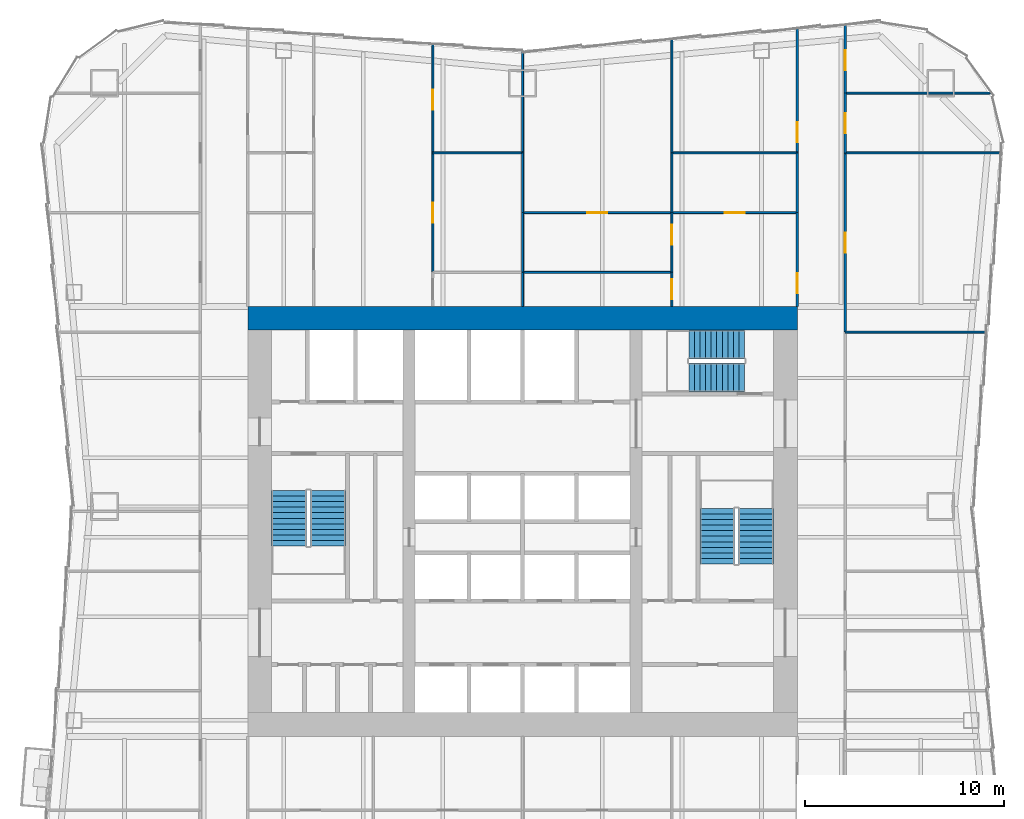
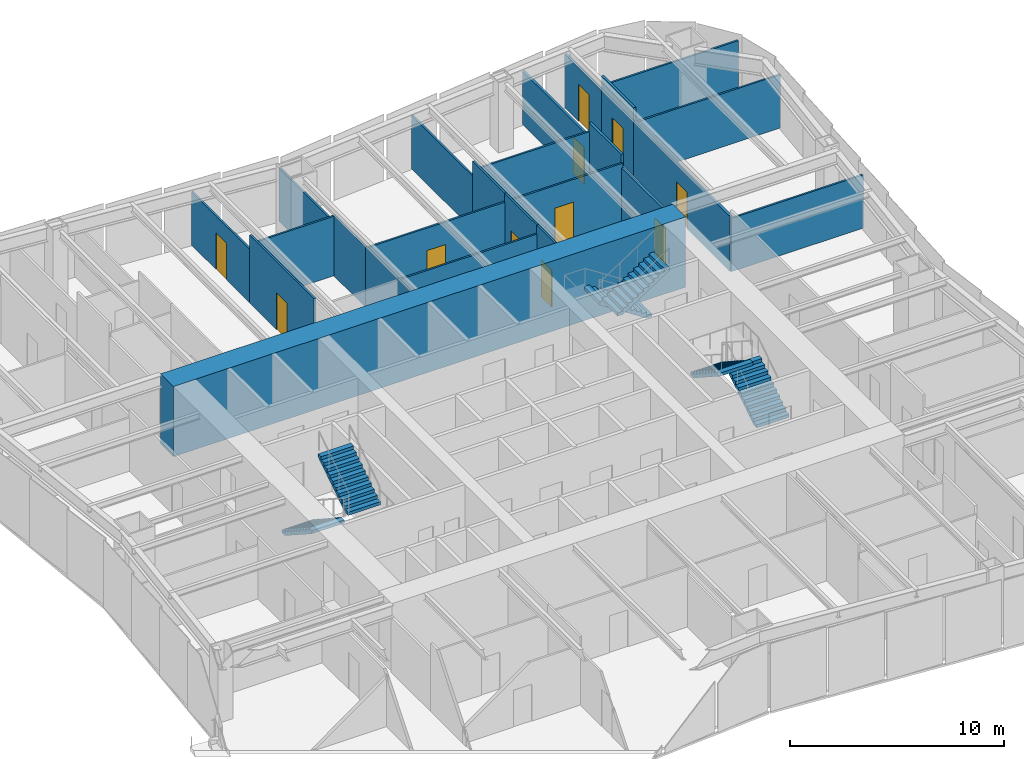
# One storey, part 7 of 9: 25 walls, 11 doors, 6 stair flights, 11 openings, 3 elements without a shape of their own.
"""IFC4 building model written with IfcOpenShell, lengths in metres."""

import ifcopenshell
import ifcopenshell.guid

model = None  # the IFC model being written
_history = None  # IfcOwnerHistory: only IFC2X3 demands one
_inside = {}  # id of a spatial element -> (the spatial element, [elements in it])
_under = {}  # id of a project, library or spatial element -> (it, [spatial elements below it])
_declared = {}  # id of a project -> (the project, [libraries it declares])
_typed = {}  # id of a type object -> (the type object, [elements of that type])
_made_of = {}  # id of a material, layer set ... -> (it, [elements and type objects made of it])


def new_model(schema):
    """Start an empty IFC model of exactly this schema.

    Asked for "IFC4X3", IfcOpenShell would pick the latest addendum, in which some entities
    have other attributes; the version numbers below select the first issue.
    IFC2X3 requires an IfcOwnerHistory on every rooted entity: one is made here for all.
    """
    global model, _history
    if schema == "IFC4X3":
        model = ifcopenshell.file(schema_version=(4, 3, 0, 0))
    else:
        model = ifcopenshell.file(schema=schema)
    _inside.clear()
    _under.clear()
    _declared.clear()
    _typed.clear()
    _made_of.clear()
    _history = None
    if model.schema == "IFC2X3":
        org = make("IfcOrganization", Name="unknown")
        user = make(
            "IfcPersonAndOrganization",
            ThePerson=make("IfcPerson", FamilyName="unknown"),
            TheOrganization=org,
        )
        app = make(
            "IfcApplication",
            ApplicationDeveloper=org,
            Version="unknown",
            ApplicationFullName="unknown",
            ApplicationIdentifier="unknown",
        )
        _history = make(
            "IfcOwnerHistory",
            OwningUser=user,
            OwningApplication=app,
            ChangeAction="ADDED",
            CreationDate=0,
        )
    return model


def make(cls, **values):
    """One entity of the class cls with the attributes given. An attribute that is None is left unset."""
    return model.create_entity(
        cls, **{name: value for name, value in values.items() if value is not None}
    )


def rooted(cls, **values):
    """An entity with a GlobalId (a new one), such as an element, a storey or a relation."""
    return make(cls, GlobalId=ifcopenshell.guid.new(), OwnerHistory=_history, **values)


def si_unit(unit_type, name, prefix=None):
    """IfcSIUnit, for example si_unit("LENGTHUNIT", "METRE", prefix="MILLI")."""
    return make("IfcSIUnit", UnitType=unit_type, Prefix=prefix, Name=name)


def assignment(units):
    """IfcUnitAssignment: the units of a project."""
    return None if units is None else make("IfcUnitAssignment", Units=units)


def point(xyz):
    """IfcCartesianPoint."""
    return None if xyz is None else make("IfcCartesianPoint", Coordinates=xyz)


def direction(xyz):
    """IfcDirection."""
    return None if xyz is None else make("IfcDirection", DirectionRatios=xyz)


def frame(location, z_axis=None, x_axis=None):
    """IfcAxis2Placement3D, a coordinate frame: its origin and axes. An axis left out is left unset."""
    return make(
        "IfcAxis2Placement3D",
        Location=point(location),
        Axis=direction(z_axis),
        RefDirection=direction(x_axis),
    )


def frame_2d(location, x_axis=None):
    """IfcAxis2Placement2D, a coordinate frame in the plane: its origin and x axis."""
    return make(
        "IfcAxis2Placement2D", Location=point(location), RefDirection=direction(x_axis)
    )


def origin():
    """The frame at (0, 0, 0) with its axes left unset."""
    return frame((0.0, 0.0, 0.0))


def place(relative_to, where):
    """IfcLocalPlacement: puts the frame where relative to a parent placement (None: the world)."""
    return make(
        "IfcLocalPlacement", PlacementRelTo=relative_to, RelativePlacement=where
    )


def context(
    kind, dimensions, precision=None, world=None, true_north=None, identifier=None
):
    """IfcGeometricRepresentationContext, for example the 3D "Model" context."""
    return make(
        "IfcGeometricRepresentationContext",
        ContextIdentifier=identifier,
        ContextType=kind,
        CoordinateSpaceDimension=dimensions,
        Precision=precision,
        WorldCoordinateSystem=world,
        TrueNorth=true_north,
    )


def subcontext(parent, identifier, kind, view, scale=None):
    """IfcGeometricRepresentationSubContext, for example "Body" below "Model"."""
    return make(
        "IfcGeometricRepresentationSubContext",
        ContextIdentifier=identifier,
        ContextType=kind,
        ParentContext=parent,
        TargetScale=scale,
        TargetView=view,
    )


def project(units=None, contexts=None):
    """IfcProject with its units and contexts."""
    return rooted(
        "IfcProject",
        Name="project",
        RepresentationContexts=contexts,
        UnitsInContext=assignment(units),
    )


def spatial(cls, under=None, at=None, **own):
    """A site, building, storey or space (cls), placed at a placement, below another one or the project."""
    s = rooted(cls, ObjectPlacement=at, **own)
    if under is not None:
        _under.setdefault(under.id(), (under, []))[1].append(s)
    return s


def polyline(points):
    """IfcPolyline through the points."""
    return make("IfcPolyline", Points=[point(p) for p in points])


def profile(cls, at=None, kind="AREA", **sizes):
    """A parametric profile (cls). Its sizes go by their IFC names, for example OverallWidth=200.0."""
    return make(cls, ProfileType=kind, Position=at, **sizes)


def rectangle(**sizes):
    """IfcRectangleProfileDef."""
    return profile("IfcRectangleProfileDef", **sizes)


def outline(outer, holes=None, kind="AREA"):
    """IfcArbitraryClosedProfileDef: a profile drawn as a closed curve; with holes, ...WithVoids."""
    if holes is None:
        return make("IfcArbitraryClosedProfileDef", ProfileType=kind, OuterCurve=outer)
    return make(
        "IfcArbitraryProfileDefWithVoids",
        ProfileType=kind,
        OuterCurve=outer,
        InnerCurves=holes,
    )


def extrude(swept, where, along, depth):
    """IfcExtrudedAreaSolid: the profile swept, set in the frame where, extruded along a direction by depth."""
    return make(
        "IfcExtrudedAreaSolid",
        SweptArea=swept,
        Position=where,
        ExtrudedDirection=direction(along),
        Depth=depth,
    )


def shape(context_of_items, identifier, shape_type, items):
    """IfcShapeRepresentation: the items that make up one representation, for example the "Body"."""
    return make(
        "IfcShapeRepresentation",
        ContextOfItems=context_of_items,
        RepresentationIdentifier=identifier,
        RepresentationType=shape_type,
        Items=items,
    )


def material(Name=None, Category=None):
    """IfcMaterial."""
    return make("IfcMaterial", Name=Name, Category=Category)


def layer(
    of_material, thickness, ventilated=None, Name=None, Category=None, Priority=None
):
    """IfcMaterialLayer: one layer of a wall or slab, of a material (None: an air gap)."""
    return make(
        "IfcMaterialLayer",
        Material=of_material,
        LayerThickness=thickness,
        IsVentilated=ventilated,
        Name=Name,
        Category=Category,
        Priority=Priority,
    )


def layer_set(layers, Name=None):
    """IfcMaterialLayerSet."""
    return make("IfcMaterialLayerSet", MaterialLayers=layers, LayerSetName=Name)


def made_of(thing, what):
    """Note that an element or type object is made of a material, layer set ...; save() writes the relation."""
    if what is not None:
        _made_of.setdefault(what.id(), (what, []))[1].append(thing)
    return thing


def type_object(cls, material=None, **own):
    """A type object (cls), such as IfcWallType, which elements share."""
    return made_of(rooted(cls, **own), material)


def element(
    cls,
    number,
    at=None,
    inside=None,
    cuts=None,
    type_object=None,
    material=None,
    context=None,
    identifier="Body",
    shape_type=None,
    held_by="IfcProductDefinitionShape",
    body=None,
    shapes=None,
    **own,
):
    """One element of the class cls, such as IfcWall. Its Tag is "e" and its number.

    at: its placement. inside: the storey or other place that contains it. cuts: it is an
    opening in that element (IfcRelVoidsElement). A single representation is given by context,
    identifier, shape_type and body (its items); several are given by shapes. held_by: the class
    of the entity that holds the representations. save() writes the other relations.
    """
    e = rooted(cls, Tag="e%d" % number, ObjectPlacement=at, **own)
    if body is not None:
        shapes = [shape(context, identifier, shape_type, body)]
    if shapes is not None:
        e.Representation = make(held_by, Representations=shapes)
    if inside is not None:
        _inside.setdefault(inside.id(), (inside, []))[1].append(e)
    if cuts is not None:
        rooted(
            "IfcRelVoidsElement", RelatingBuildingElement=cuts, RelatedOpeningElement=e
        )
    if type_object is not None:
        _typed.setdefault(type_object.id(), (type_object, []))[1].append(e)
    return made_of(e, material)


def fill(opening, filler):
    """IfcRelFillsElement: the door or window that sits in an opening."""
    return rooted(
        "IfcRelFillsElement",
        RelatingOpeningElement=opening,
        RelatedBuildingElement=filler,
    )


def aggregate(whole, parts):
    """IfcRelAggregates: a whole, such as a stair, and the parts it consists of."""
    return rooted("IfcRelAggregates", RelatingObject=whole, RelatedObjects=parts)


def save(model, path):
    """Write the relations noted so far, then the file.

    IfcRelAggregates (storeys below a building ...), IfcRelContainedInSpatialStructure (elements
    in a storey), IfcRelDefinesByType, IfcRelAssociatesMaterial and IfcRelDeclares: one each for
    every whole, place, type object, material and project.
    """
    for whole, parts in _under.values():
        aggregate(whole, parts)
    for where, things in _inside.values():
        rooted(
            "IfcRelContainedInSpatialStructure",
            RelatedElements=things,
            RelatingStructure=where,
        )
    for kind, things in _typed.values():
        rooted("IfcRelDefinesByType", RelatedObjects=things, RelatingType=kind)
    for what, things in _made_of.values():
        rooted("IfcRelAssociatesMaterial", RelatedObjects=things, RelatingMaterial=what)
    for by, libraries in _declared.values():
        rooted("IfcRelDeclares", RelatingContext=by, RelatedDefinitions=libraries)
    model.write(path)


model = new_model("IFC4")

# Units and contexts
model_context = context("Model", 3, precision=1e-05, world=origin(), true_north=direction((0.0, 1.0)))
body_context = subcontext(model_context, "Body", "Model", "MODEL_VIEW")
ifc_project = project(units=[si_unit("LENGTHUNIT", "METRE"), si_unit("AREAUNIT", "SQUARE_METRE"), si_unit("VOLUMEUNIT", "CUBIC_METRE"), si_unit("PLANEANGLEUNIT", "RADIAN"), si_unit("MASSUNIT", "GRAM", prefix="KILO")], contexts=[model_context])

# Site, building, storey
site_placement = place(None, origin())
site = spatial("IfcSite", under=ifc_project, at=site_placement, CompositionType="ELEMENT")
building_placement = place(site_placement, origin())
building = spatial("IfcBuilding", under=site, at=building_placement, Name="Verdant Reach Tower", CompositionType="ELEMENT")
storey_placement = place(building_placement, frame((0.0, 0.0, 78.0)))
storey = spatial("IfcBuildingStorey", under=building, at=storey_placement, Name="L17", CompositionType="ELEMENT", Elevation=78.0)

# Walls
ifc_material_1 = material(Name="Gypsum board on steel studs", Category="steel")
ifc_layer_1 = layer(ifc_material_1, 0.10009765625)
ifc_layer_set_1 = layer_set([ifc_layer_1], Name="FL-W1 Partition 100")
wall_type_1 = type_object("IfcWallType", Name="FL-W1 Partition 100", PredefinedType="PARTITIONING", material=ifc_layer_set_1)
wall_1_placement = place(storey_placement, frame((23.29931640625, 37.5, 0.0), z_axis=(0.0, 0.0, 1.0), x_axis=(-1.0, 0.0, 0.0)))
element("IfcWall", 1, at=wall_1_placement, inside=storey, type_object=wall_type_1, Name="Partition 17.40", PredefinedType="PARTITIONING", context=body_context, shape_type="SweptSolid", body=[
    extrude(rectangle(XDim=7.099365234375, YDim=0.10009765625, at=frame_2d((3.5498046875, 0.0))), origin(), (0.0, 0.0, 1.0), 3.0400390625),
])
wall_2_placement = place(storey_placement, frame((24.038818359375, 46.5, 0.0), z_axis=(0.0, 0.0, 1.0), x_axis=(-1.0, 0.0, 0.0)))
element("IfcWall", 2, at=wall_2_placement, inside=storey, type_object=wall_type_1, Name="Partition 17.41", PredefinedType="PARTITIONING", context=body_context, shape_type="SweptSolid", body=[
    extrude(rectangle(XDim=7.8388671875, YDim=0.10009765625, at=frame_2d((3.91943359375, 0.0))), origin(), (0.0, 0.0, 1.0), 3.0400390625),
])
wall_3_placement = place(storey_placement, frame((23.487060546875, 49.5, 0.0), z_axis=(0.0, 0.0, 1.0), x_axis=(-1.0, 0.0, 0.0)))
element("IfcWall", 3, at=wall_3_placement, inside=storey, type_object=wall_type_1, Name="Partition 17.42", PredefinedType="PARTITIONING", context=body_context, shape_type="SweptSolid", body=[
    extrude(rectangle(XDim=7.287109375, YDim=0.10009765625, at=frame_2d((3.6435546875, 0.0))), origin(), (0.0, 0.0, 1.0), 3.340087890625),
])

# Wall, opening, door
wall_4_placement = place(storey_placement, frame((-4.5, 46.5, 0.0), z_axis=(0.0, 0.0, 1.0), x_axis=(0.0, -1.0, 0.0)))
wall_4 = element("IfcWall", 4, at=wall_4_placement, inside=storey, type_object=wall_type_1, Name="Partition 17.63", PredefinedType="PARTITIONING", context=body_context, shape_type="SweptSolid", body=[
    extrude(rectangle(XDim=6.0, YDim=0.10009765625, at=frame_2d((3.0, 0.0))), origin(), (0.0, 0.0, 1.0), 3.8701171875),
])
opening_1_placement = place(wall_4_placement, frame((2.5, 0.0, 0.0)))
opening_1 = element("IfcOpeningElement", 5, at=opening_1_placement, cuts=wall_4, Name="Opening D3", PredefinedType="OPENING", context=body_context, shape_type="SweptSolid", body=[
    extrude(rectangle(XDim=1.0, YDim=2.10009765625, at=frame_2d((0.5, 1.050048828125))), frame((0.0, 0.06005859375, 0.0), z_axis=(0.0, -1.0, 0.0), x_axis=(1.0, 0.0, 0.0)), (0.0, 0.0, 1.0), 0.1201171875),
])
ifc_material_2 = material(Name="Painted timber door leaf", Category="wood")
door_type_1 = type_object("IfcDoorType", Name="FL-D3 Door 1000x2100", OperationType="NOTDEFINED", PredefinedType="DOOR", material=ifc_material_2)
door_1_placement = place(opening_1_placement, origin())
door_1 = element("IfcDoor", 6, at=door_1_placement, inside=storey, type_object=door_type_1, Name="Door 17-034", OperationType="SINGLE_SWING_RIGHT", OverallHeight=2.10009765625, OverallWidth=1.0, PredefinedType="DOOR", context=body_context, shape_type="SweptSolid", body=[
    extrude(rectangle(XDim=1.0, YDim=2.10009765625, at=frame_2d((0.5, 1.050048828125))), frame((0.0, 0.02490234375, 0.0), z_axis=(0.0, -1.0, 0.0), x_axis=(1.0, 0.0, 0.0)), (0.0, 0.0, 1.0), 0.050048828125),
])
fill(opening_1, door_1)

wall_5_placement = place(storey_placement, frame((-4.5, 51.955078125, 0.0), z_axis=(0.0, 0.0, 1.0), x_axis=(0.0, -1.0, 0.0)))
wall_5 = element("IfcWall", 7, at=wall_5_placement, inside=storey, type_object=wall_type_1, Name="Partition 17.64", PredefinedType="PARTITIONING", context=body_context, shape_type="SweptSolid", body=[
    extrude(rectangle(XDim=5.455078125, YDim=0.10009765625, at=frame_2d((2.7275390625, 0.0))), origin(), (0.0, 0.0, 1.0), 3.0400390625),
])
opening_2_placement = place(wall_5_placement, frame((2.29248046875, 0.0, 0.0)))
opening_2 = element("IfcOpeningElement", 8, at=opening_2_placement, cuts=wall_5, Name="Opening D3", PredefinedType="OPENING", context=body_context, shape_type="SweptSolid", body=[
    extrude(rectangle(XDim=1.0, YDim=2.10009765625, at=frame_2d((0.5, 1.050048828125))), frame((0.0, 0.06005859375, 0.0), z_axis=(0.0, -1.0, 0.0), x_axis=(1.0, 0.0, 0.0)), (0.0, 0.0, 1.0), 0.1201171875),
])
door_2_placement = place(opening_2_placement, origin())
door_2 = element("IfcDoor", 9, at=door_2_placement, inside=storey, type_object=door_type_1, Name="Door 17-035", OperationType="SINGLE_SWING_RIGHT", OverallHeight=2.10009765625, OverallWidth=1.0, PredefinedType="DOOR", context=body_context, shape_type="SweptSolid", body=[
    extrude(rectangle(XDim=1.0, YDim=2.10009765625, at=frame_2d((0.5, 1.050048828125))), frame((0.0, 0.02490234375, 0.0), z_axis=(0.0, -1.0, 0.0), x_axis=(1.0, 0.0, 0.0)), (0.0, 0.0, 1.0), 0.050048828125),
])
fill(opening_2, door_2)

# Walls
wall_6_placement = place(storey_placement, frame((0.0, 38.800048828125, 0.0), z_axis=(0.0, 0.0, 1.0), x_axis=(0.0, 1.0, 0.0)))
element("IfcWall", 10, at=wall_6_placement, inside=storey, type_object=wall_type_1, Name="Partition 17.66", PredefinedType="PARTITIONING", context=body_context, shape_type="SweptSolid", body=[
    extrude(rectangle(XDim=1.699951171875, YDim=0.10009765625, at=frame_2d((0.85009765625, 0.0))), origin(), (0.0, 0.0, 1.0), 3.43994140625),
])
wall_7_placement = place(storey_placement, frame((0.0, 46.5, 0.0), z_axis=(0.0, 0.0, 1.0), x_axis=(-1.0, 0.0, 0.0)))
element("IfcWall", 11, at=wall_7_placement, inside=storey, type_object=wall_type_1, Name="Partition 17.67", PredefinedType="PARTITIONING", context=body_context, shape_type="SweptSolid", body=[
    extrude(rectangle(XDim=4.5, YDim=0.10009765625, at=frame_2d((2.25, 0.0))), origin(), (0.0, 0.0, 1.0), 3.389892578125),
])
wall_8_placement = place(storey_placement, frame((0.0, 40.5, 0.0), z_axis=(0.0, 0.0, 1.0), x_axis=(0.0, 1.0, 0.0)))
element("IfcWall", 12, at=wall_8_placement, inside=storey, type_object=wall_type_1, Name="Partition 17.68", PredefinedType="PARTITIONING", context=body_context, shape_type="SweptSolid", body=[
    extrude(rectangle(XDim=3.0, YDim=0.10009765625, at=frame_2d((1.5, 0.0))), origin(), (0.0, 0.0, 1.0), 3.43994140625),
])
wall_9_placement = place(storey_placement, frame((0.0, 43.5, 0.0), z_axis=(0.0, 0.0, 1.0), x_axis=(0.0, 1.0, 0.0)))
element("IfcWall", 13, at=wall_9_placement, inside=storey, type_object=wall_type_1, Name="Partition 17.69", PredefinedType="PARTITIONING", context=body_context, shape_type="SweptSolid", body=[
    extrude(rectangle(XDim=3.00390625, YDim=0.10009765625, at=frame_2d((1.501953125, 0.0))), origin(), (0.0, 0.0, 1.0), 3.43994140625),
])
wall_10_placement = place(storey_placement, frame((0.0, 46.49609375, 0.0), z_axis=(0.0, 0.0, 1.0), x_axis=(0.0, 1.0, 0.0)))
element("IfcWall", 14, at=wall_10_placement, inside=storey, type_object=wall_type_1, Name="Partition 17.70", PredefinedType="PARTITIONING", context=body_context, shape_type="SweptSolid", body=[
    extrude(rectangle(XDim=5.083984375, YDim=0.10009765625, at=frame_2d((2.5419921875, 0.0))), origin(), (0.0, 0.0, 1.0), 3.0400390625),
])

# Wall, opening, door
wall_11_placement = place(storey_placement, frame((7.5, 43.5, 0.0), z_axis=(0.0, 0.0, 1.0), x_axis=(1.0, 0.0, 0.0)))
wall_11 = element("IfcWall", 15, at=wall_11_placement, inside=storey, type_object=wall_type_1, Name="Partition 17.71", PredefinedType="PARTITIONING", context=body_context, shape_type="SweptSolid", body=[
    extrude(rectangle(XDim=6.300048828125, YDim=0.10009765625, at=frame_2d((3.14990234375, 0.0))), origin(), (0.0, 0.0, 1.0), 3.389892578125),
])
opening_3_placement = place(wall_11_placement, frame((2.64990234375, 0.0, 0.0)))
opening_3 = element("IfcOpeningElement", 16, at=opening_3_placement, cuts=wall_11, Name="Opening D3", PredefinedType="OPENING", context=body_context, shape_type="SweptSolid", body=[
    extrude(rectangle(XDim=1.0, YDim=2.10009765625, at=frame_2d((0.5, 1.050048828125))), frame((0.0, 0.06005859375, 0.0), z_axis=(0.0, -1.0, 0.0), x_axis=(1.0, 0.0, 0.0)), (0.0, 0.0, 1.0), 0.1201171875),
])
door_3_placement = place(opening_3_placement, origin())
door_3 = element("IfcDoor", 17, at=door_3_placement, inside=storey, type_object=door_type_1, Name="Door 17-036", OperationType="SINGLE_SWING_RIGHT", OverallHeight=2.10009765625, OverallWidth=1.0, PredefinedType="DOOR", context=body_context, shape_type="SweptSolid", body=[
    extrude(rectangle(XDim=1.0, YDim=2.10009765625, at=frame_2d((0.5, 1.050048828125))), frame((0.0, 0.02490234375, 0.0), z_axis=(0.0, -1.0, 0.0), x_axis=(1.0, 0.0, 0.0)), (0.0, 0.0, 1.0), 0.050048828125),
])
fill(opening_3, door_3)

wall_12_placement = place(storey_placement, frame((7.5, 38.800048828125, 0.0), z_axis=(0.0, 0.0, 1.0), x_axis=(0.0, 1.0, 0.0)))
wall_12 = element("IfcWall", 18, at=wall_12_placement, inside=storey, type_object=wall_type_1, Name="Partition 17.72", PredefinedType="PARTITIONING", context=body_context, shape_type="SweptSolid", body=[
    extrude(rectangle(XDim=1.699951171875, YDim=0.10009765625, at=frame_2d((0.85009765625, 0.0))), origin(), (0.0, 0.0, 1.0), 3.8701171875),
])
opening_4_placement = place(wall_12_placement, frame((0.35009765625, 0.0, 0.0)))
opening_4 = element("IfcOpeningElement", 19, at=opening_4_placement, cuts=wall_12, Name="Opening D3", PredefinedType="OPENING", context=body_context, shape_type="SweptSolid", body=[
    extrude(rectangle(XDim=1.0, YDim=2.10009765625, at=frame_2d((0.5, 1.050048828125))), frame((0.0, 0.06005859375, 0.0), z_axis=(0.0, -1.0, 0.0), x_axis=(1.0, 0.0, 0.0)), (0.0, 0.0, 1.0), 0.1201171875),
])
door_4_placement = place(opening_4_placement, origin())
door_4 = element("IfcDoor", 20, at=door_4_placement, inside=storey, type_object=door_type_1, Name="Door 17-037", OperationType="SINGLE_SWING_LEFT", OverallHeight=2.10009765625, OverallWidth=1.0, PredefinedType="DOOR", context=body_context, shape_type="SweptSolid", body=[
    extrude(rectangle(XDim=1.0, YDim=2.10009765625, at=frame_2d((0.5, 1.050048828125))), frame((0.0, 0.02490234375, 0.0), z_axis=(0.0, -1.0, 0.0), x_axis=(1.0, 0.0, 0.0)), (0.0, 0.0, 1.0), 0.050048828125),
])
fill(opening_4, door_4)

wall_13_placement = place(storey_placement, frame((7.5, 40.5, 0.0), z_axis=(0.0, 0.0, 1.0), x_axis=(0.0, 1.0, 0.0)))
wall_13 = element("IfcWall", 21, at=wall_13_placement, inside=storey, type_object=wall_type_1, Name="Partition 17.73", PredefinedType="PARTITIONING", context=body_context, shape_type="SweptSolid", body=[
    extrude(rectangle(XDim=3.0, YDim=0.10009765625, at=frame_2d((1.5, 0.0))), origin(), (0.0, 0.0, 1.0), 3.8701171875),
])
opening_5_placement = place(wall_13_placement, frame((1.39990234375, 0.0, 0.0)))
opening_5 = element("IfcOpeningElement", 22, at=opening_5_placement, cuts=wall_13, Name="Opening D3", PredefinedType="OPENING", context=body_context, shape_type="SweptSolid", body=[
    extrude(rectangle(XDim=1.0, YDim=2.10009765625, at=frame_2d((0.5, 1.050048828125))), frame((0.0, 0.06005859375, 0.0), z_axis=(0.0, -1.0, 0.0), x_axis=(1.0, 0.0, 0.0)), (0.0, 0.0, 1.0), 0.1201171875),
])
door_5_placement = place(opening_5_placement, origin())
door_5 = element("IfcDoor", 23, at=door_5_placement, inside=storey, type_object=door_type_1, Name="Door 17-038", OperationType="SINGLE_SWING_RIGHT", OverallHeight=2.10009765625, OverallWidth=1.0, PredefinedType="DOOR", context=body_context, shape_type="SweptSolid", body=[
    extrude(rectangle(XDim=1.0, YDim=2.10009765625, at=frame_2d((0.5, 1.050048828125))), frame((0.0, 0.02490234375, 0.0), z_axis=(0.0, -1.0, 0.0), x_axis=(1.0, 0.0, 0.0)), (0.0, 0.0, 1.0), 0.050048828125),
])
fill(opening_5, door_5)

# Walls
wall_14_placement = place(storey_placement, frame((13.800048828125, 46.5, 0.0), z_axis=(0.0, 0.0, 1.0), x_axis=(-1.0, 0.0, 0.0)))
element("IfcWall", 24, at=wall_14_placement, inside=storey, type_object=wall_type_1, Name="Partition 17.74", PredefinedType="PARTITIONING", context=body_context, shape_type="SweptSolid", body=[
    extrude(rectangle(XDim=6.300048828125, YDim=0.10009765625, at=frame_2d((3.14990234375, 0.0))), origin(), (0.0, 0.0, 1.0), 3.389892578125),
])
wall_15_placement = place(storey_placement, frame((7.5, 46.50390625, 0.0), z_axis=(0.0, 0.0, 1.0), x_axis=(0.0, -1.0, 0.0)))
element("IfcWall", 25, at=wall_15_placement, inside=storey, type_object=wall_type_1, Name="Partition 17.75", PredefinedType="PARTITIONING", context=body_context, shape_type="SweptSolid", body=[
    extrude(rectangle(XDim=3.00390625, YDim=0.10009765625, at=frame_2d((1.501953125, 0.0))), origin(), (0.0, 0.0, 1.0), 3.8701171875),
])
wall_16_placement = place(storey_placement, frame((7.5, 52.205078125, 0.0), z_axis=(0.0, 0.0, 1.0), x_axis=(0.0, -1.0, 0.0)))
element("IfcWall", 26, at=wall_16_placement, inside=storey, type_object=wall_type_1, Name="Partition 17.76", PredefinedType="PARTITIONING", context=body_context, shape_type="SweptSolid", body=[
    extrude(rectangle(XDim=5.708984375, YDim=0.10009765625, at=frame_2d((2.8544921875, 0.0))), origin(), (0.0, 0.0, 1.0), 3.0400390625),
])
wall_17_placement = place(storey_placement, frame((7.5, 40.5, 0.0), z_axis=(0.0, 0.0, 1.0), x_axis=(-1.0, 0.0, 0.0)))
element("IfcWall", 27, at=wall_17_placement, inside=storey, type_object=wall_type_1, Name="Partition 17.77", PredefinedType="PARTITIONING", context=body_context, shape_type="SweptSolid", body=[
    extrude(rectangle(XDim=7.5, YDim=0.10009765625, at=frame_2d((3.75, 0.0))), origin(), (0.0, 0.0, 1.0), 3.389892578125),
])

# Wall, opening, door
wall_18_placement = place(storey_placement, frame((0.0, 43.5, 0.0), z_axis=(0.0, 0.0, 1.0), x_axis=(1.0, 0.0, 0.0)))
wall_18 = element("IfcWall", 28, at=wall_18_placement, inside=storey, type_object=wall_type_1, Name="Partition 17.78", PredefinedType="PARTITIONING", context=body_context, shape_type="SweptSolid", body=[
    extrude(rectangle(XDim=7.5, YDim=0.10009765625, at=frame_2d((3.75, 0.0))), origin(), (0.0, 0.0, 1.0), 3.389892578125),
])
opening_6_placement = place(wall_18_placement, frame((3.25, 0.0, 0.0)))
opening_6 = element("IfcOpeningElement", 29, at=opening_6_placement, cuts=wall_18, Name="Opening D3", PredefinedType="OPENING", context=body_context, shape_type="SweptSolid", body=[
    extrude(rectangle(XDim=1.0, YDim=2.10009765625, at=frame_2d((0.5, 1.050048828125))), frame((0.0, 0.06005859375, 0.0), z_axis=(0.0, -1.0, 0.0), x_axis=(1.0, 0.0, 0.0)), (0.0, 0.0, 1.0), 0.1201171875),
])
door_6_placement = place(opening_6_placement, origin())
door_6 = element("IfcDoor", 30, at=door_6_placement, inside=storey, type_object=door_type_1, Name="Door 17-039", OperationType="SINGLE_SWING_LEFT", OverallHeight=2.10009765625, OverallWidth=1.0, PredefinedType="DOOR", context=body_context, shape_type="SweptSolid", body=[
    extrude(rectangle(XDim=1.0, YDim=2.10009765625, at=frame_2d((0.5, 1.050048828125))), frame((0.0, 0.02490234375, 0.0), z_axis=(0.0, -1.0, 0.0), x_axis=(1.0, 0.0, 0.0)), (0.0, 0.0, 1.0), 0.050048828125),
])
fill(opening_6, door_6)

ifc_material_3 = material(Name="Gypsum board on steel studs, fire rated", Category="steel")
ifc_layer_2 = layer(ifc_material_3, 0.125)
ifc_layer_set_2 = layer_set([ifc_layer_2], Name="FL-W2 Corridor wall 125")
wall_type_2 = type_object("IfcWallType", Name="FL-W2 Corridor wall 125", PredefinedType="PARTITIONING", material=ifc_layer_set_2)
wall_19_placement = place(storey_placement, frame((16.199951171875, 46.5, 0.0), z_axis=(0.0, 0.0, 1.0), x_axis=(0.0, -1.0, 0.0)))
wall_19 = element("IfcWall", 31, at=wall_19_placement, inside=storey, type_object=wall_type_2, Name="Partition 17.20", PredefinedType="PARTITIONING", context=body_context, shape_type="SweptSolid", body=[
    extrude(rectangle(XDim=9.0, YDim=0.125, at=frame_2d((4.5, 0.0))), origin(), (0.0, 0.0, 1.0), 3.139892578125),
])
opening_7_placement = place(wall_19_placement, frame((4.0, 0.0, 0.0)))
opening_7 = element("IfcOpeningElement", 32, at=opening_7_placement, cuts=wall_19, Name="Opening D2", PredefinedType="OPENING", context=body_context, shape_type="SweptSolid", body=[
    extrude(rectangle(XDim=1.0, YDim=2.10009765625, at=frame_2d((0.5, 1.050048828125))), frame((0.0, 0.072509765625, 0.0), z_axis=(0.0, -1.0, 0.0), x_axis=(1.0, 0.0, 0.0)), (0.0, 0.0, 1.0), 0.14501953125),
])
ifc_material_4 = material(Name="Timber door leaf, fire rated", Category="wood")
door_type_2 = type_object("IfcDoorType", Name="FL-D2 Entrance door 1000x2100 FD30", OperationType="NOTDEFINED", PredefinedType="DOOR", material=ifc_material_4)
door_7_placement = place(opening_7_placement, origin())
door_7 = element("IfcDoor", 33, at=door_7_placement, inside=storey, type_object=door_type_2, Name="Door 17-016", OperationType="SINGLE_SWING_RIGHT", OverallHeight=2.10009765625, OverallWidth=1.0, PredefinedType="DOOR", context=body_context, shape_type="SweptSolid", body=[
    extrude(rectangle(XDim=1.0, YDim=2.10009765625, at=frame_2d((0.5, 1.050048828125))), frame((0.0, 0.02490234375, 0.0), z_axis=(0.0, -1.0, 0.0), x_axis=(1.0, 0.0, 0.0)), (0.0, 0.0, 1.0), 0.050048828125),
])
fill(opening_7, door_7)

wall_20_placement = place(storey_placement, frame((16.199951171875, 49.5, 0.0), z_axis=(0.0, 0.0, 1.0), x_axis=(0.0, -1.0, 0.0)))
wall_20 = element("IfcWall", 34, at=wall_20_placement, inside=storey, type_object=wall_type_2, Name="Partition 17.21", PredefinedType="PARTITIONING", context=body_context, shape_type="SweptSolid", body=[
    extrude(rectangle(XDim=3.0, YDim=0.125, at=frame_2d((1.5, 0.0))), origin(), (0.0, 0.0, 1.0), 3.8701171875),
])
opening_8_placement = place(wall_20_placement, frame((1.0, 0.0, 0.0)))
opening_8 = element("IfcOpeningElement", 35, at=opening_8_placement, cuts=wall_20, Name="Opening D2", PredefinedType="OPENING", context=body_context, shape_type="SweptSolid", body=[
    extrude(rectangle(XDim=1.0, YDim=2.10009765625, at=frame_2d((0.5, 1.050048828125))), frame((0.0, 0.072509765625, 0.0), z_axis=(0.0, -1.0, 0.0), x_axis=(1.0, 0.0, 0.0)), (0.0, 0.0, 1.0), 0.14501953125),
])
door_8_placement = place(opening_8_placement, origin())
door_8 = element("IfcDoor", 36, at=door_8_placement, inside=storey, type_object=door_type_2, Name="Door 17-017", OperationType="SINGLE_SWING_LEFT", OverallHeight=2.10009765625, OverallWidth=1.0, PredefinedType="DOOR", context=body_context, shape_type="SweptSolid", body=[
    extrude(rectangle(XDim=1.0, YDim=2.10009765625, at=frame_2d((0.5, 1.050048828125))), frame((0.0, 0.02490234375, 0.0), z_axis=(0.0, -1.0, 0.0), x_axis=(1.0, 0.0, 0.0)), (0.0, 0.0, 1.0), 0.050048828125),
])
fill(opening_8, door_8)

wall_21_placement = place(storey_placement, frame((16.199951171875, 52.929931640625, 0.0), z_axis=(0.0, 0.0, 1.0), x_axis=(0.0, -1.0, 0.0)))
wall_21 = element("IfcWall", 37, at=wall_21_placement, inside=storey, type_object=wall_type_2, Name="Partition 17.22", PredefinedType="PARTITIONING", context=body_context, shape_type="SweptSolid", body=[
    extrude(rectangle(XDim=3.429931640625, YDim=0.125, at=frame_2d((1.71484375, 0.0))), origin(), (0.0, 0.0, 1.0), 3.0400390625),
])
opening_9_placement = place(wall_21_placement, frame((1.280029296875, 0.0, 0.0)))
opening_9 = element("IfcOpeningElement", 38, at=opening_9_placement, cuts=wall_21, Name="Opening D2", PredefinedType="OPENING", context=body_context, shape_type="SweptSolid", body=[
    extrude(rectangle(XDim=1.0, YDim=2.10009765625, at=frame_2d((0.5, 1.050048828125))), frame((0.0, 0.072509765625, 0.0), z_axis=(0.0, -1.0, 0.0), x_axis=(1.0, 0.0, 0.0)), (0.0, 0.0, 1.0), 0.14501953125),
])
door_9_placement = place(opening_9_placement, origin())
door_9 = element("IfcDoor", 39, at=door_9_placement, inside=storey, type_object=door_type_2, Name="Door 17-018", OperationType="SINGLE_SWING_RIGHT", OverallHeight=2.10009765625, OverallWidth=1.0, PredefinedType="DOOR", context=body_context, shape_type="SweptSolid", body=[
    extrude(rectangle(XDim=1.0, YDim=2.10009765625, at=frame_2d((0.5, 1.050048828125))), frame((0.0, 0.02490234375, 0.0), z_axis=(0.0, -1.0, 0.0), x_axis=(1.0, 0.0, 0.0)), (0.0, 0.0, 1.0), 0.050048828125),
])
fill(opening_9, door_9)

wall_22_placement = place(storey_placement, frame((13.800048828125, 38.800048828125, 0.0), z_axis=(0.0, 0.0, 1.0), x_axis=(0.0, 1.0, 0.0)))
wall_22 = element("IfcWall", 40, at=wall_22_placement, inside=storey, type_object=wall_type_2, Name="Partition 17.26", PredefinedType="PARTITIONING", context=body_context, shape_type="SweptSolid", body=[
    extrude(rectangle(XDim=4.699951171875, YDim=0.125, at=frame_2d((2.35009765625, 0.0))), origin(), (0.0, 0.0, 1.0), 3.139892578125),
])
opening_10_placement = place(wall_22_placement, frame((0.64990234375, 0.0, 0.0)))
opening_10 = element("IfcOpeningElement", 41, at=opening_10_placement, cuts=wall_22, Name="Opening D2", PredefinedType="OPENING", context=body_context, shape_type="SweptSolid", body=[
    extrude(rectangle(XDim=1.0, YDim=2.10009765625, at=frame_2d((0.5, 1.050048828125))), frame((0.0, 0.072509765625, 0.0), z_axis=(0.0, -1.0, 0.0), x_axis=(1.0, 0.0, 0.0)), (0.0, 0.0, 1.0), 0.14501953125),
])
door_10_placement = place(opening_10_placement, origin())
door_10 = element("IfcDoor", 42, at=door_10_placement, inside=storey, type_object=door_type_2, Name="Door 17-021", OperationType="SINGLE_SWING_LEFT", OverallHeight=2.10009765625, OverallWidth=1.0, PredefinedType="DOOR", context=body_context, shape_type="SweptSolid", body=[
    extrude(rectangle(XDim=1.0, YDim=2.10009765625, at=frame_2d((0.5, 1.050048828125))), frame((0.0, 0.02490234375, 0.0), z_axis=(0.0, -1.0, 0.0), x_axis=(1.0, 0.0, 0.0)), (0.0, 0.0, 1.0), 0.050048828125),
])
fill(opening_10, door_10)

# Wall
wall_23_placement = place(storey_placement, frame((13.800048828125, 46.5, 0.0), z_axis=(0.0, 0.0, 1.0), x_axis=(0.0, -1.0, 0.0)))
element("IfcWall", 43, at=wall_23_placement, inside=storey, type_object=wall_type_2, Name="Partition 17.27", PredefinedType="PARTITIONING", context=body_context, shape_type="SweptSolid", body=[
    extrude(rectangle(XDim=3.0, YDim=0.125, at=frame_2d((1.5, 0.0))), origin(), (0.0, 0.0, 1.0), 3.8701171875),
])

# Wall, opening, door
wall_24_placement = place(storey_placement, frame((13.800048828125, 46.5, 0.0), z_axis=(0.0, 0.0, 1.0), x_axis=(0.0, 1.0, 0.0)))
wall_24 = element("IfcWall", 44, at=wall_24_placement, inside=storey, type_object=wall_type_2, Name="Partition 17.28", PredefinedType="PARTITIONING", context=body_context, shape_type="SweptSolid", body=[
    extrude(rectangle(XDim=6.22998046875, YDim=0.125, at=frame_2d((3.114990234375, 0.0))), origin(), (0.0, 0.0, 1.0), 3.0400390625),
])
opening_11_placement = place(wall_24_placement, frame((0.5498046875, 0.0, 0.0)))
opening_11 = element("IfcOpeningElement", 45, at=opening_11_placement, cuts=wall_24, Name="Opening D2", PredefinedType="OPENING", context=body_context, shape_type="SweptSolid", body=[
    extrude(rectangle(XDim=1.0, YDim=2.10009765625, at=frame_2d((0.5, 1.050048828125))), frame((0.0, 0.072509765625, 0.0), z_axis=(0.0, -1.0, 0.0), x_axis=(1.0, 0.0, 0.0)), (0.0, 0.0, 1.0), 0.14501953125),
])
door_11_placement = place(opening_11_placement, origin())
door_11 = element("IfcDoor", 46, at=door_11_placement, inside=storey, type_object=door_type_2, Name="Door 17-022", OperationType="SINGLE_SWING_LEFT", OverallHeight=2.10009765625, OverallWidth=1.0, PredefinedType="DOOR", context=body_context, shape_type="SweptSolid", body=[
    extrude(rectangle(XDim=1.0, YDim=2.10009765625, at=frame_2d((0.5, 1.050048828125))), frame((0.0, 0.02490234375, 0.0), z_axis=(0.0, -1.0, 0.0), x_axis=(1.0, 0.0, 0.0)), (0.0, 0.0, 1.0), 0.050048828125),
])
fill(opening_11, door_11)

# Wall
ifc_material_5 = material(Name="Concrete C70/85", Category="concrete")
ifc_layer_3 = layer(ifc_material_5, 1.199951171875)
ifc_layer_set_3 = layer_set([ifc_layer_3], Name="ST-CORE-WALL-1200")
wall_type_3 = type_object("IfcWallType", Name="ST-CORE-WALL-1200", PredefinedType="SHEAR", material=ifc_layer_set_3)
wall_25_placement = place(storey_placement, frame((-13.800048828125, 38.199951171875, -0.1298828125), z_axis=(0.0, 0.0, 1.0), x_axis=(1.0, 0.0, 0.0)))
element("IfcWall", 47, at=wall_25_placement, inside=storey, type_object=wall_type_3, Name="Core wall N, L17", PredefinedType="SHEAR", context=body_context, shape_type="SweptSolid", body=[
    extrude(rectangle(XDim=27.60009765625, YDim=1.199951171875, at=frame_2d((13.800048828125, 0.0))), origin(), (0.0, 0.0, 1.0), 4.0),
])

# Stair, stair flights
ifc_material_6 = material(Name="Concrete C40/50", Category="concrete")
stair_type = type_object("IfcStairType", Name="CO-STAIR", PredefinedType="HALF_TURN_STAIR", material=ifc_material_6)
stair_1_placement = place(storey_placement, origin())
stair_1 = element("IfcStair", 48, at=stair_1_placement, inside=storey, type_object=stair_type, Name="L17 Exit stair 1", PredefinedType="HALF_TURN_STAIR")
stair_flight_type = type_object("IfcStairFlightType", Name="CO-STAIR-FLIGHT", PredefinedType="STRAIGHT", material=ifc_material_6)
stair_flight_1_placement = place(storey_placement, frame((-11.72509765625, 29.550048828125, 0.0), z_axis=(0.0, 0.0, 1.0), x_axis=(0.0, -1.0, 0.0)))
stair_flight_1 = element("IfcStairFlight", 49, at=stair_flight_1_placement, type_object=stair_flight_type, Name="ST-1 flight 1", NumberOfRisers=11, NumberOfTreads=10, PredefinedType="STRAIGHT", RiserHeight=0.181818182, TreadLength=0.28, context=body_context, shape_type="SweptSolid", body=[
    extrude(outline(polyline([(0.0, 0.0), (0.0, 0.181884765625), (0.280029296875, 0.181884765625), (0.280029296875, 0.363525390625), (0.56005859375, 0.363525390625), (0.56005859375, 0.54541015625), (0.840087890625, 0.54541015625), (0.840087890625, 0.727294921875), (1.1201171875, 0.727294921875), (1.1201171875, 0.9091796875), (1.39990234375, 0.9091796875), (1.39990234375, 1.0908203125), (1.679931640625, 1.0908203125), (1.679931640625, 1.272705078125), (1.9599609375, 1.272705078125), (1.9599609375, 1.45458984375), (2.239990234375, 1.45458984375), (2.239990234375, 1.636474609375), (2.52001953125, 1.636474609375), (2.52001953125, 1.818115234375), (2.800048828125, 1.818115234375), (2.800048828125, 2.0), (2.800048828125, 1.639404296875), (0.275146484375, 0.0), (0.0, 0.0)])), frame((0.0, 0.875, 0.0), z_axis=(0.0, -1.0, 0.0), x_axis=(1.0, 0.0, 0.0)), (0.0, 0.0, 1.0), 1.75),
])
stair_flight_2_placement = place(storey_placement, frame((-9.77490234375, 26.75, 2.0), z_axis=(0.0, 0.0, 1.0), x_axis=(0.0, 1.0, 0.0)))
stair_flight_2 = element("IfcStairFlight", 50, at=stair_flight_2_placement, type_object=stair_flight_type, Name="ST-1 flight 2", NumberOfRisers=11, NumberOfTreads=10, PredefinedType="STRAIGHT", RiserHeight=0.181818182, TreadLength=0.28, context=body_context, shape_type="SweptSolid", body=[
    extrude(outline(polyline([(0.0, 0.0), (0.0, 0.181884765625), (0.280029296875, 0.181884765625), (0.280029296875, 0.363525390625), (0.56005859375, 0.363525390625), (0.56005859375, 0.54541015625), (0.840087890625, 0.54541015625), (0.840087890625, 0.727294921875), (1.1201171875, 0.727294921875), (1.1201171875, 0.9091796875), (1.39990234375, 0.9091796875), (1.39990234375, 1.0908203125), (1.679931640625, 1.0908203125), (1.679931640625, 1.272705078125), (1.9599609375, 1.272705078125), (1.9599609375, 1.45458984375), (2.239990234375, 1.45458984375), (2.239990234375, 1.636474609375), (2.52001953125, 1.636474609375), (2.52001953125, 1.818115234375), (2.800048828125, 1.818115234375), (2.800048828125, 2.0), (2.800048828125, 1.639404296875), (0.275146484375, 0.0), (0.0, 0.0)])), frame((0.0, 0.875, 0.0), z_axis=(0.0, -1.0, 0.0), x_axis=(1.0, 0.0, 0.0)), (0.0, 0.0, 1.0), 1.75),
])
aggregate(stair_1, [stair_flight_1, stair_flight_2])

stair_2_placement = place(storey_placement, origin())
stair_2 = element("IfcStair", 51, at=stair_2_placement, inside=storey, type_object=stair_type, Name="L17 Exit stair 2", PredefinedType="HALF_TURN_STAIR")
stair_flight_3_placement = place(storey_placement, frame((11.72509765625, 25.85009765625, 0.0), z_axis=(0.0, 0.0, 1.0), x_axis=(0.0, 1.0, 0.0)))
stair_flight_3 = element("IfcStairFlight", 52, at=stair_flight_3_placement, type_object=stair_flight_type, Name="ST-2 flight 1", NumberOfRisers=11, NumberOfTreads=10, PredefinedType="STRAIGHT", RiserHeight=0.181818182, TreadLength=0.28, context=body_context, shape_type="SweptSolid", body=[
    extrude(outline(polyline([(0.0, 0.0), (0.0, 0.181884765625), (0.280029296875, 0.181884765625), (0.280029296875, 0.363525390625), (0.56005859375, 0.363525390625), (0.56005859375, 0.54541015625), (0.840087890625, 0.54541015625), (0.840087890625, 0.727294921875), (1.1201171875, 0.727294921875), (1.1201171875, 0.9091796875), (1.39990234375, 0.9091796875), (1.39990234375, 1.0908203125), (1.679931640625, 1.0908203125), (1.679931640625, 1.272705078125), (1.9599609375, 1.272705078125), (1.9599609375, 1.45458984375), (2.239990234375, 1.45458984375), (2.239990234375, 1.636474609375), (2.52001953125, 1.636474609375), (2.52001953125, 1.818115234375), (2.800048828125, 1.818115234375), (2.800048828125, 2.0), (2.800048828125, 1.639404296875), (0.275146484375, 0.0), (0.0, 0.0)])), frame((0.0, 0.875, 0.0), z_axis=(0.0, -1.0, 0.0), x_axis=(1.0, 0.0, 0.0)), (0.0, 0.0, 1.0), 1.75),
])
stair_flight_4_placement = place(storey_placement, frame((9.77490234375, 28.64990234375, 2.0), z_axis=(0.0, 0.0, 1.0), x_axis=(0.0, -1.0, 0.0)))
stair_flight_4 = element("IfcStairFlight", 53, at=stair_flight_4_placement, type_object=stair_flight_type, Name="ST-2 flight 2", NumberOfRisers=11, NumberOfTreads=10, PredefinedType="STRAIGHT", RiserHeight=0.181818182, TreadLength=0.28, context=body_context, shape_type="SweptSolid", body=[
    extrude(outline(polyline([(0.0, 0.0), (0.0, 0.181884765625), (0.280029296875, 0.181884765625), (0.280029296875, 0.363525390625), (0.56005859375, 0.363525390625), (0.56005859375, 0.54541015625), (0.840087890625, 0.54541015625), (0.840087890625, 0.727294921875), (1.1201171875, 0.727294921875), (1.1201171875, 0.9091796875), (1.39990234375, 0.9091796875), (1.39990234375, 1.0908203125), (1.679931640625, 1.0908203125), (1.679931640625, 1.272705078125), (1.9599609375, 1.272705078125), (1.9599609375, 1.45458984375), (2.239990234375, 1.45458984375), (2.239990234375, 1.636474609375), (2.52001953125, 1.636474609375), (2.52001953125, 1.818115234375), (2.800048828125, 1.818115234375), (2.800048828125, 2.0), (2.800048828125, 1.639404296875), (0.275146484375, 0.0), (0.0, 0.0)])), frame((0.0, 0.875, 0.0), z_axis=(0.0, -1.0, 0.0), x_axis=(1.0, 0.0, 0.0)), (0.0, 0.0, 1.0), 1.75),
])
aggregate(stair_2, [stair_flight_3, stair_flight_4])

stair_3_placement = place(storey_placement, origin())
stair_3 = element("IfcStair", 54, at=stair_3_placement, inside=storey, type_object=stair_type, Name="L17 Exit stair 3", PredefinedType="HALF_TURN_STAIR")
stair_flight_5_placement = place(storey_placement, frame((11.14990234375, 36.875, 0.0), z_axis=(0.0, 0.0, 1.0), x_axis=(-1.0, 0.0, 0.0)))
stair_flight_5 = element("IfcStairFlight", 55, at=stair_flight_5_placement, type_object=stair_flight_type, Name="ST-3 flight 1", NumberOfRisers=11, NumberOfTreads=10, PredefinedType="STRAIGHT", RiserHeight=0.181818182, TreadLength=0.28, context=body_context, shape_type="SweptSolid", body=[
    extrude(outline(polyline([(0.0, 0.0), (0.0, 0.181884765625), (0.280029296875, 0.181884765625), (0.280029296875, 0.363525390625), (0.56005859375, 0.363525390625), (0.56005859375, 0.54541015625), (0.840087890625, 0.54541015625), (0.840087890625, 0.727294921875), (1.1201171875, 0.727294921875), (1.1201171875, 0.9091796875), (1.39990234375, 0.9091796875), (1.39990234375, 1.0908203125), (1.679931640625, 1.0908203125), (1.679931640625, 1.272705078125), (1.9599609375, 1.272705078125), (1.9599609375, 1.45458984375), (2.239990234375, 1.45458984375), (2.239990234375, 1.636474609375), (2.52001953125, 1.636474609375), (2.52001953125, 1.818115234375), (2.800048828125, 1.818115234375), (2.800048828125, 2.0), (2.800048828125, 1.639404296875), (0.275146484375, 0.0), (0.0, 0.0)])), frame((0.0, 0.72509765625, 0.0), z_axis=(0.0, -1.0, 0.0), x_axis=(1.0, 0.0, 0.0)), (0.0, 0.0, 1.0), 1.449951171875),
])
stair_flight_6_placement = place(storey_placement, frame((8.35009765625, 35.22509765625, 2.0), z_axis=(0.0, 0.0, 1.0), x_axis=(1.0, 0.0, 0.0)))
stair_flight_6 = element("IfcStairFlight", 56, at=stair_flight_6_placement, type_object=stair_flight_type, Name="ST-3 flight 2", NumberOfRisers=11, NumberOfTreads=10, PredefinedType="STRAIGHT", RiserHeight=0.181818182, TreadLength=0.28, context=body_context, shape_type="SweptSolid", body=[
    extrude(outline(polyline([(0.0, 0.0), (0.0, 0.181884765625), (0.280029296875, 0.181884765625), (0.280029296875, 0.363525390625), (0.56005859375, 0.363525390625), (0.56005859375, 0.54541015625), (0.840087890625, 0.54541015625), (0.840087890625, 0.727294921875), (1.1201171875, 0.727294921875), (1.1201171875, 0.9091796875), (1.39990234375, 0.9091796875), (1.39990234375, 1.0908203125), (1.679931640625, 1.0908203125), (1.679931640625, 1.272705078125), (1.9599609375, 1.272705078125), (1.9599609375, 1.45458984375), (2.239990234375, 1.45458984375), (2.239990234375, 1.636474609375), (2.52001953125, 1.636474609375), (2.52001953125, 1.818115234375), (2.800048828125, 1.818115234375), (2.800048828125, 2.0), (2.800048828125, 1.639404296875), (0.275146484375, 0.0), (0.0, 0.0)])), frame((0.0, 0.72509765625, 0.0), z_axis=(0.0, -1.0, 0.0), x_axis=(1.0, 0.0, 0.0)), (0.0, 0.0, 1.0), 1.449951171875),
])
aggregate(stair_3, [stair_flight_5, stair_flight_6])

save(model, "model.ifc")
